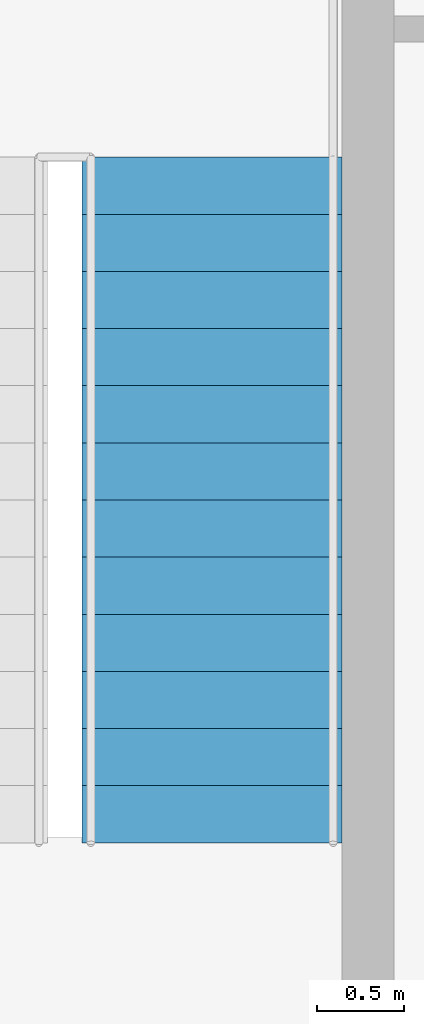
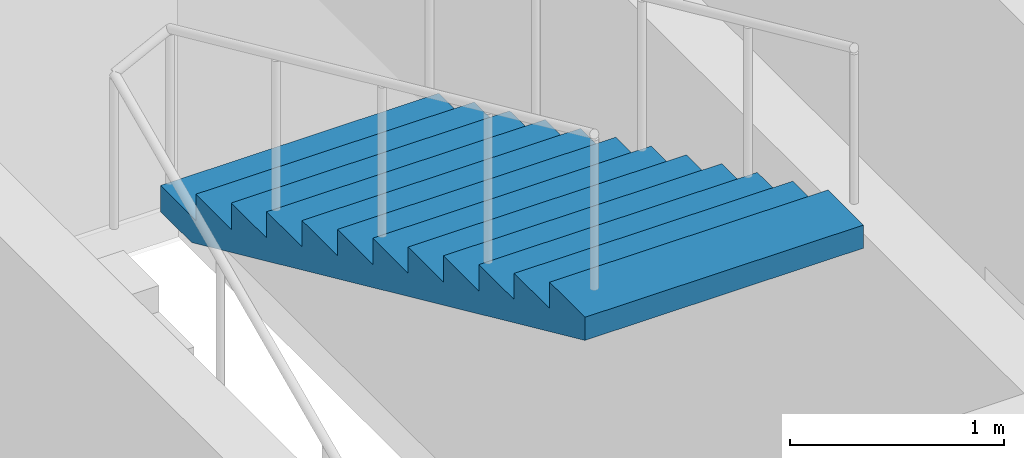
# One storey, part 9 of 10: 1 stair flight, 1 element without a shape of its own.
"""IFC4 building model written with IfcOpenShell, lengths in metres."""

from ifc_helpers import new_model, si_unit, direction, frame, origin, place, context, subcontext, project, spatial, polygons, material, type_object, element, aggregate, save


model = new_model("IFC4")

# Units and contexts
model_context = context("Model", 3, precision=1e-05, world=origin(), true_north=direction((0.0, 1.0)))
body_context = subcontext(model_context, "Body", "Model", "MODEL_VIEW")
ifc_project = project(units=[si_unit("LENGTHUNIT", "METRE"), si_unit("AREAUNIT", "SQUARE_METRE"), si_unit("VOLUMEUNIT", "CUBIC_METRE"), si_unit("PLANEANGLEUNIT", "RADIAN"), si_unit("MASSUNIT", "GRAM", prefix="KILO")], contexts=[model_context])

# Site, building, storey
site_placement = place(None, origin())
site = spatial("IfcSite", under=ifc_project, at=site_placement, CompositionType="ELEMENT")
building_placement = place(site_placement, origin())
building = spatial("IfcBuilding", under=site, at=building_placement, Name="Njiva Tower", CompositionType="ELEMENT")
storey_placement = place(building_placement, frame((0.0, 0.0, 167.1)))
storey = spatial("IfcBuildingStorey", under=building, at=storey_placement, Name="L36", CompositionType="ELEMENT", Elevation=167.1)

# Stair, stair flight
ifc_material = material(Name="Concrete C40/50", Category="concrete")
stair_type = type_object("IfcStairType", Name="ST4 Exit stair 1500", PredefinedType="HALF_TURN_STAIR", material=ifc_material)
stair_placement = place(storey_placement, origin())
stair = element("IfcStair", 1, at=stair_placement, inside=storey, type_object=stair_type, Name="Stair B", PredefinedType="HALF_TURN_STAIR")
stair_flight_type = type_object("IfcStairFlightType", Name="FL4 Stair flight 1500", PredefinedType="STRAIGHT", material=ifc_material)
stair_flight_placement = place(storey_placement, frame((13.45, 15.06, 1.95), z_axis=(0.0, 0.0, 1.0), x_axis=(0.0, -1.0, 0.0)))
stair_flight = element("IfcStairFlight", 2, at=stair_flight_placement, type_object=stair_flight_type, Name="ST-B flight 2", NumberOfRisers=13, NumberOfTreads=12, PredefinedType="STRAIGHT", RiserHeight=0.15, TreadLength=0.33, context=body_context, shape_type="Tessellation", body=[
    polygons([(0.0, 0.75, 0.0), (0.0, 0.375, 0.0), (0.0, 0.0, 0.0), (0.0, -0.375, 0.0), (0.0, -0.75, 0.0), (0.0, 0.75, 0.15), (0.0, 0.375, 0.15), (0.0, 0.0, 0.15), (0.0, -0.375, 0.15), (0.0, -0.75, 0.15), (0.33, 0.75, 0.15), (0.33, 0.375, 0.15), (0.33, 0.0, 0.15), (0.33, -0.375, 0.15), (0.33, -0.75, 0.15), (0.33, 0.75, 0.3), (0.33, 0.375, 0.3), (0.33, 0.0, 0.3), (0.33, -0.375, 0.3), (0.33, -0.75, 0.3), (0.66, 0.75, 0.3), (0.66, 0.375, 0.3), (0.66, 0.0, 0.3), (0.66, -0.375, 0.3), (0.66, -0.75, 0.3), (0.66, 0.75, 0.45), (0.66, 0.375, 0.45), (0.66, 0.0, 0.45), (0.66, -0.375, 0.45), (0.66, -0.75, 0.45), (0.99, 0.75, 0.45), (0.99, 0.375, 0.45), (0.99, 0.0, 0.45), (0.99, -0.375, 0.45), (0.99, -0.75, 0.45), (0.99, 0.75, 0.6), (0.99, 0.375, 0.6), (0.99, 0.0, 0.6), (0.99, -0.375, 0.6), (0.99, -0.75, 0.6), (1.32, 0.75, 0.6), (1.32, 0.375, 0.6), (1.32, 0.0, 0.6), (1.32, -0.375, 0.6), (1.32, -0.75, 0.6), (1.32, 0.75, 0.75), (1.32, 0.375, 0.75), (1.32, 0.0, 0.75), (1.32, -0.375, 0.75), (1.32, -0.75, 0.75), (1.65, 0.75, 0.75), (1.65, 0.375, 0.75), (1.65, 0.0, 0.75), (1.65, -0.375, 0.75), (1.65, -0.75, 0.75), (1.65, 0.75, 0.9), (1.65, 0.375, 0.9), (1.65, 0.0, 0.9), (1.65, -0.375, 0.9), (1.65, -0.75, 0.9), (1.98, 0.75, 0.9), (1.98, 0.375, 0.9), (1.98, 0.0, 0.9), (1.98, -0.375, 0.9), (1.98, -0.75, 0.9), (1.98, 0.75, 1.05), (1.98, 0.375, 1.05), (1.98, 0.0, 1.05), (1.98, -0.375, 1.05), (1.98, -0.75, 1.05), (2.31, 0.75, 1.05), (2.31, 0.375, 1.05), (2.31, 0.0, 1.05), (2.31, -0.375, 1.05), (2.31, -0.75, 1.05), (2.31, 0.75, 1.2), (2.31, 0.375, 1.2), (2.31, 0.0, 1.2), (2.31, -0.375, 1.2), (2.31, -0.75, 1.2), (2.64, 0.75, 1.2), (2.64, 0.375, 1.2), (2.64, 0.0, 1.2), (2.64, -0.375, 1.2), (2.64, -0.75, 1.2), (2.64, 0.75, 1.35), (2.64, 0.375, 1.35), (2.64, 0.0, 1.35), (2.64, -0.375, 1.35), (2.64, -0.75, 1.35), (2.97, 0.75, 1.35), (2.97, 0.375, 1.35), (2.97, 0.0, 1.35), (2.97, -0.375, 1.35), (2.97, -0.75, 1.35), (2.97, 0.75, 1.5), (2.97, 0.375, 1.5), (2.97, 0.0, 1.5), (2.97, -0.375, 1.5), (2.97, -0.75, 1.5), (3.3, 0.75, 1.5), (3.3, 0.375, 1.5), (3.3, 0.0, 1.5), (3.3, -0.375, 1.5), (3.3, -0.75, 1.5), (3.3, 0.75, 1.65), (3.3, 0.375, 1.65), (3.3, 0.0, 1.65), (3.3, -0.375, 1.65), (3.3, -0.75, 1.65), (3.63, 0.75, 1.65), (3.63, 0.375, 1.65), (3.63, 0.0, 1.65), (3.63, -0.375, 1.65), (3.63, -0.75, 1.65), (3.63, 0.75, 1.8), (3.63, 0.375, 1.8), (3.63, 0.0, 1.8), (3.63, -0.375, 1.8), (3.63, -0.75, 1.8), (3.96, 0.75, 1.8), (3.96, 0.375, 1.8), (3.96, 0.0, 1.8), (3.96, -0.375, 1.8), (3.96, -0.75, 1.8), (3.96, 0.75, 1.6682), (3.96, 0.375, 1.6682), (3.96, 0.0, 1.6682), (3.96, -0.375, 1.6682), (3.96, -0.75, 1.6682), (0.29, 0.75, 0.0), (0.29, 0.375, 0.0), (0.29, 0.0, 0.0), (0.29, -0.375, 0.0), (0.29, -0.75, 0.0)], [[[1, 6, 11, 16, 21, 26, 31, 36, 41, 46, 51, 56, 61, 66, 71, 76, 81, 86, 91, 96, 101, 106, 111, 116, 121, 126, 131]], [[135, 130, 125, 120, 115, 110, 105, 100, 95, 90, 85, 80, 75, 70, 65, 60, 55, 50, 45, 40, 35, 30, 25, 20, 15, 10, 5]], [[6, 1, 2, 7]], [[7, 2, 3, 8]], [[8, 3, 4, 9]], [[9, 4, 5, 10]], [[11, 6, 7, 12]], [[12, 7, 8, 13]], [[13, 8, 9, 14]], [[14, 9, 10, 15]], [[16, 11, 12, 17]], [[17, 12, 13, 18]], [[18, 13, 14, 19]], [[19, 14, 15, 20]], [[21, 16, 17, 22]], [[22, 17, 18, 23]], [[23, 18, 19, 24]], [[24, 19, 20, 25]], [[26, 21, 22, 27]], [[27, 22, 23, 28]], [[28, 23, 24, 29]], [[29, 24, 25, 30]], [[31, 26, 27, 32]], [[32, 27, 28, 33]], [[33, 28, 29, 34]], [[34, 29, 30, 35]], [[36, 31, 32, 37]], [[37, 32, 33, 38]], [[38, 33, 34, 39]], [[39, 34, 35, 40]], [[41, 36, 37, 42]], [[42, 37, 38, 43]], [[43, 38, 39, 44]], [[44, 39, 40, 45]], [[46, 41, 42, 47]], [[47, 42, 43, 48]], [[48, 43, 44, 49]], [[49, 44, 45, 50]], [[51, 46, 47, 52]], [[52, 47, 48, 53]], [[53, 48, 49, 54]], [[54, 49, 50, 55]], [[56, 51, 52, 57]], [[57, 52, 53, 58]], [[58, 53, 54, 59]], [[59, 54, 55, 60]], [[61, 56, 57, 62]], [[62, 57, 58, 63]], [[63, 58, 59, 64]], [[64, 59, 60, 65]], [[66, 61, 62, 67]], [[67, 62, 63, 68]], [[68, 63, 64, 69]], [[69, 64, 65, 70]], [[71, 66, 67, 72]], [[72, 67, 68, 73]], [[73, 68, 69, 74]], [[74, 69, 70, 75]], [[76, 71, 72, 77]], [[77, 72, 73, 78]], [[78, 73, 74, 79]], [[79, 74, 75, 80]], [[81, 76, 77, 82]], [[82, 77, 78, 83]], [[83, 78, 79, 84]], [[84, 79, 80, 85]], [[86, 81, 82, 87]], [[87, 82, 83, 88]], [[88, 83, 84, 89]], [[89, 84, 85, 90]], [[91, 86, 87, 92]], [[92, 87, 88, 93]], [[93, 88, 89, 94]], [[94, 89, 90, 95]], [[96, 91, 92, 97]], [[97, 92, 93, 98]], [[98, 93, 94, 99]], [[99, 94, 95, 100]], [[101, 96, 97, 102]], [[102, 97, 98, 103]], [[103, 98, 99, 104]], [[104, 99, 100, 105]], [[106, 101, 102, 107]], [[107, 102, 103, 108]], [[108, 103, 104, 109]], [[109, 104, 105, 110]], [[111, 106, 107, 112]], [[112, 107, 108, 113]], [[113, 108, 109, 114]], [[114, 109, 110, 115]], [[116, 111, 112, 117]], [[117, 112, 113, 118]], [[118, 113, 114, 119]], [[119, 114, 115, 120]], [[121, 116, 117, 122]], [[122, 117, 118, 123]], [[123, 118, 119, 124]], [[124, 119, 120, 125]], [[126, 121, 122, 127]], [[127, 122, 123, 128]], [[128, 123, 124, 129]], [[129, 124, 125, 130]], [[131, 126, 127, 132]], [[132, 127, 128, 133]], [[133, 128, 129, 134]], [[134, 129, 130, 135]], [[1, 131, 132, 2]], [[2, 132, 133, 3]], [[3, 133, 134, 4]], [[4, 134, 135, 5]]], closed=True),
])
aggregate(stair, [stair_flight])

save(model, "model.ifc")
